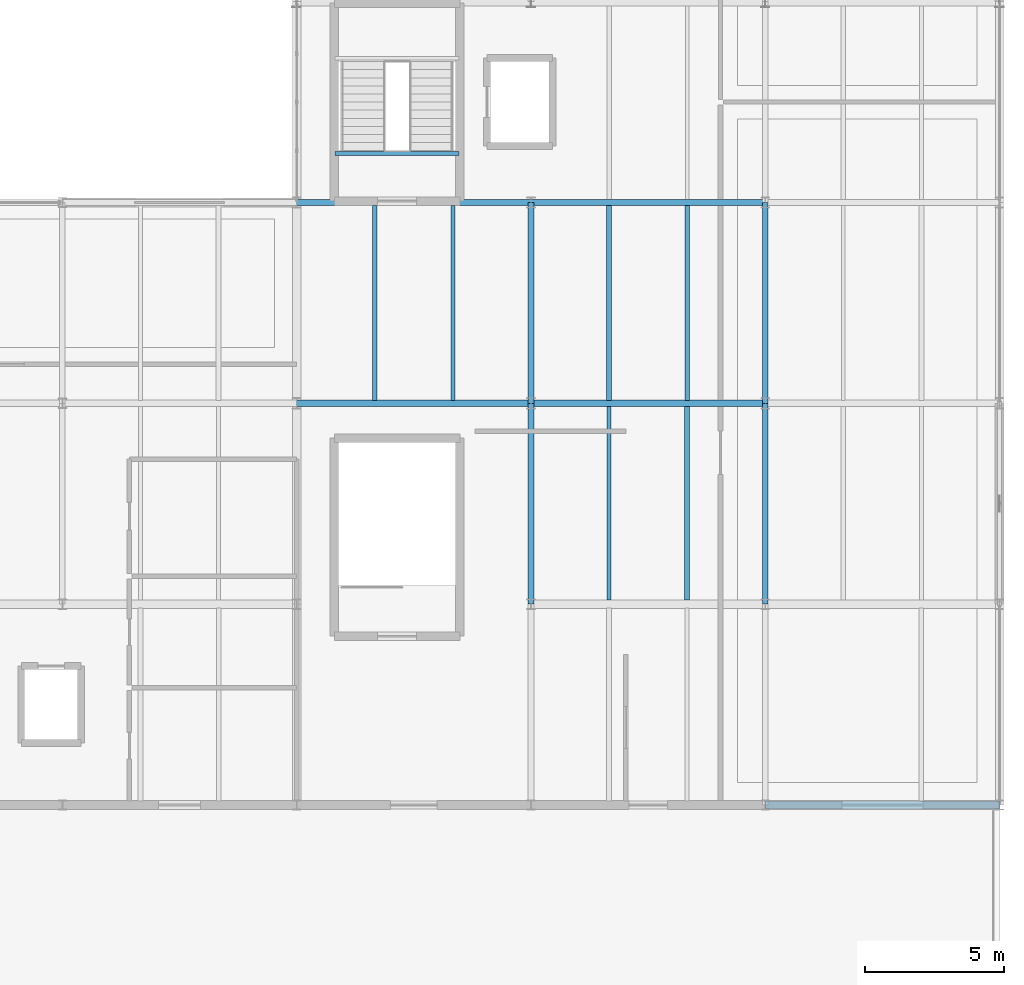
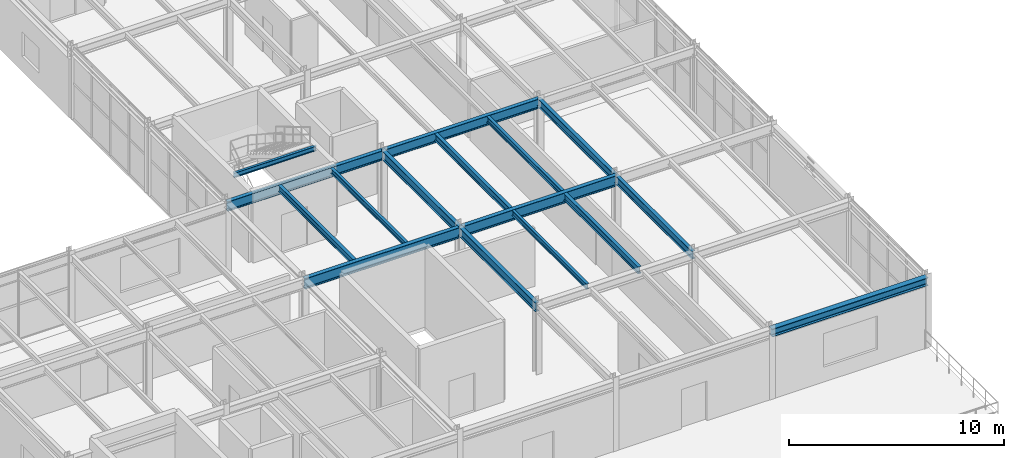
# One storey, part 73 of 134: 16 beams.
"""IFC4 building model written with IfcOpenShell, lengths in metres."""

from ifc_helpers import new_model, si_unit, derived_unit, direction, frame, origin, origin_2d, place, context, subcontext, project, spatial, i_section, extrude, material, material_profile, profile_set, type_object, element, save


model = new_model("IFC4")

# Units and contexts
model_context = context("Model", 3, precision=1e-05, world=origin(), true_north=direction((0.0, 1.0)))
body_context = subcontext(model_context, "Body", "Model", "MODEL_VIEW")
ifc_project = project(units=[si_unit("LENGTHUNIT", "METRE"), si_unit("AREAUNIT", "SQUARE_METRE"), si_unit("VOLUMEUNIT", "CUBIC_METRE"), si_unit("PLANEANGLEUNIT", "RADIAN"), si_unit("MASSUNIT", "GRAM", prefix="KILO"), derived_unit("THERMALTRANSMITTANCEUNIT", [(si_unit("MASSUNIT", "GRAM", prefix="KILO"), 1), (si_unit("TIMEUNIT", "SECOND"), -3), (si_unit("THERMODYNAMICTEMPERATUREUNIT", "KELVIN"), -1)])], contexts=[model_context])

# Site, building, storey
site_placement = place(None, origin())
site = spatial("IfcSite", under=ifc_project, at=site_placement, CompositionType="ELEMENT")
building_placement = place(site_placement, origin())
building = spatial("IfcBuilding", under=site, at=building_placement, Name="Kharveza Railside Sports Centre", CompositionType="ELEMENT")
storey_placement = place(building_placement, frame((0.0, 0.0, 12.89990234375)))
storey = spatial("IfcBuildingStorey", under=building, at=storey_placement, Name="L03", CompositionType="ELEMENT", Elevation=12.89990234375)

# Beams
ifc_material = material(Name="Steel S355J2", Category="steel")
ifc_material_profile_1 = material_profile(ifc_material, i_section(OverallWidth=0.219970703125, OverallDepth=0.60009765625, WebThickness=0.011962890625, FlangeThickness=0.01904296875, FilletRadius=0.02392578125, at=origin_2d()), Name="IPE 600")
ifc_profile_set_1 = profile_set([ifc_material_profile_1], Name="Steel S355J2")
beam_type_1 = type_object("IfcBeamType", Name="BM-G01", PredefinedType="T_BEAM", material=ifc_profile_set_1)
beam_1_placement = place(storey_placement, frame((142.800048828125, 28.800048828125, 3.66015625), z_axis=(1.0, 0.0, 0.0), x_axis=(0.0, 1.0, 0.0)))
element("IfcBeam", 1, at=beam_1_placement, inside=storey, type_object=beam_type_1, Name="BM-EW-L03-B01-X1428-Y288", PredefinedType="T_BEAM", context=body_context, shape_type="SweptSolid", body=[
    extrude(i_section(OverallWidth=0.219970703125, OverallDepth=0.60009765625, WebThickness=0.011962890625, FlangeThickness=0.01904296875, FilletRadius=0.02392578125, at=origin_2d()), origin(), (0.0, 0.0, 1.0), 8.39990234375),
])
beam_2_placement = place(storey_placement, frame((151.199951171875, 28.800048828125, 3.66015625), z_axis=(1.0, 0.0, 0.0), x_axis=(0.0, 1.0, 0.0)))
element("IfcBeam", 2, at=beam_2_placement, inside=storey, type_object=beam_type_1, Name="BM-EW-L03-B01-X1512-Y288", PredefinedType="T_BEAM", context=body_context, shape_type="SweptSolid", body=[
    extrude(i_section(OverallWidth=0.219970703125, OverallDepth=0.60009765625, WebThickness=0.011962890625, FlangeThickness=0.01904296875, FilletRadius=0.02392578125, at=origin_2d()), origin(), (0.0, 0.0, 1.0), 8.400146484375),
])
ifc_material_profile_2 = material_profile(ifc_material, i_section(OverallWidth=0.2099609375, OverallDepth=0.550048828125, WebThickness=0.010986328125, FlangeThickness=0.01708984375, FilletRadius=0.02392578125, at=origin_2d()), Name="IPE 550")
ifc_profile_set_2 = profile_set([ifc_material_profile_2], Name="Steel S355J2")
beam_type_2 = type_object("IfcBeamType", Name="BM-G02", PredefinedType="T_BEAM", material=ifc_profile_set_2)
beam_3_placement = place(storey_placement, frame((142.800048828125, 36.0, 3.68505859375), z_axis=(1.0, 0.0, 0.0), x_axis=(0.0, 1.0, 0.0)))
element("IfcBeam", 3, at=beam_3_placement, inside=storey, type_object=beam_type_2, Name="BM-EW-L03-B02-X1428-Y360", PredefinedType="T_BEAM", context=body_context, shape_type="SweptSolid", body=[
    extrude(i_section(OverallWidth=0.2099609375, OverallDepth=0.550048828125, WebThickness=0.010986328125, FlangeThickness=0.01708984375, FilletRadius=0.02392578125, at=origin_2d()), origin(), (0.0, 0.0, 1.0), 8.39990234375),
])
beam_4_placement = place(storey_placement, frame((151.199951171875, 36.0, 3.68505859375), z_axis=(1.0, 0.0, 0.0), x_axis=(0.0, 1.0, 0.0)))
element("IfcBeam", 4, at=beam_4_placement, inside=storey, type_object=beam_type_2, Name="BM-EW-L03-B02-X1512-Y360", PredefinedType="T_BEAM", context=body_context, shape_type="SweptSolid", body=[
    extrude(i_section(OverallWidth=0.2099609375, OverallDepth=0.550048828125, WebThickness=0.010986328125, FlangeThickness=0.01708984375, FilletRadius=0.02392578125, at=origin_2d()), origin(), (0.0, 0.0, 1.0), 8.400146484375),
])
ifc_material_profile_3 = material_profile(ifc_material, i_section(OverallWidth=0.199951171875, OverallDepth=0.5, WebThickness=0.01025390625, FlangeThickness=0.01611328125, FilletRadius=0.02099609375, at=origin_2d()), Name="IPE 500")
ifc_profile_set_3 = profile_set([ifc_material_profile_3], Name="Steel S355J2")
beam_type_3 = type_object("IfcBeamType", Name="BM-G03", PredefinedType="T_BEAM", material=ifc_profile_set_3)
for number, where, z_axis, x_axis, name in (
    (5, (151.199951171875, 21.60009765625, 3.710205078125), (0.0, 1.0, 0.0), (-1.0, 0.0, 0.0), "BM-NS-L03-B03-X1512-Y216"),
    (6, (151.199951171875, 28.800048828125, 3.710205078125), (0.0, 1.0, 0.0), (-1.0, 0.0, 0.0), "BM-NS-L03-B03-X1512-Y288"),
):
    element("IfcBeam", number, at=place(storey_placement, frame(where, z_axis=z_axis, x_axis=x_axis)), inside=storey, type_object=beam_type_3, Name=name, PredefinedType="T_BEAM", context=body_context, shape_type="SweptSolid", body=[
        extrude(i_section(OverallWidth=0.199951171875, OverallDepth=0.5, WebThickness=0.01025390625, FlangeThickness=0.01611328125, FilletRadius=0.02099609375, at=origin_2d()), origin(), (0.0, 0.0, 1.0), 7.199951171875),
    ])
ifc_material_profile_4 = material_profile(ifc_material, i_section(OverallWidth=0.18994140625, OverallDepth=0.449951171875, WebThickness=0.009521484375, FlangeThickness=0.0146484375, FilletRadius=0.02099609375, at=origin_2d()), Name="IPE 450")
ifc_profile_set_4 = profile_set([ifc_material_profile_4], Name="Steel S355J2")
beam_type_4 = type_object("IfcBeamType", Name="BM-G04", PredefinedType="T_BEAM", material=ifc_profile_set_4)
for number, where, z_axis, x_axis, name in (
    (7, (159.60009765625, 21.60009765625, 3.735107421875), (0.0, 1.0, 0.0), (-1.0, 0.0, 0.0), "BM-NS-L03-B04-X1596-Y216"),
    (8, (159.60009765625, 28.800048828125, 3.735107421875), (0.0, 1.0, 0.0), (-1.0, 0.0, 0.0), "BM-NS-L03-B04-X1596-Y288"),
):
    element("IfcBeam", number, at=place(storey_placement, frame(where, z_axis=z_axis, x_axis=x_axis)), inside=storey, type_object=beam_type_4, Name=name, PredefinedType="T_BEAM", context=body_context, shape_type="SweptSolid", body=[
        extrude(i_section(OverallWidth=0.18994140625, OverallDepth=0.449951171875, WebThickness=0.009521484375, FlangeThickness=0.0146484375, FilletRadius=0.02099609375, at=origin_2d()), origin(), (0.0, 0.0, 1.0), 7.199951171875),
    ])
ifc_material_profile_5 = material_profile(ifc_material, i_section(OverallWidth=0.300048828125, OverallDepth=0.449951171875, WebThickness=0.013916015625, FlangeThickness=0.02587890625, FilletRadius=0.027099609375, at=origin_2d()), Name="HEB 450")
ifc_profile_set_5 = profile_set([ifc_material_profile_5], Name="Steel S355J2")
beam_type_5 = type_object("IfcBeamType", Name="BM-G06", PredefinedType="T_BEAM", material=ifc_profile_set_5)
beam_5_placement = place(storey_placement, frame((159.60009765625, 14.39990234375, 3.735107421875), z_axis=(1.0, 0.0, 0.0), x_axis=(0.0, 1.0, 0.0)))
element("IfcBeam", 9, at=beam_5_placement, inside=storey, type_object=beam_type_5, Name="BM-EW-L03-B06-X1596-Y144", PredefinedType="T_BEAM", context=body_context, shape_type="SweptSolid", body=[
    extrude(i_section(OverallWidth=0.300048828125, OverallDepth=0.449951171875, WebThickness=0.013916015625, FlangeThickness=0.02587890625, FilletRadius=0.027099609375, at=origin_2d()), origin(), (0.0, 0.0, 1.0), 8.39990234375),
])
ifc_material_profile_6 = material_profile(ifc_material, i_section(OverallWidth=0.179931640625, OverallDepth=0.39990234375, WebThickness=0.008544921875, FlangeThickness=0.013427734375, FilletRadius=0.02099609375, at=origin_2d()), Name="IPE 400")
ifc_profile_set_6 = profile_set([ifc_material_profile_6], Name="Steel S355J2")
beam_type_6 = type_object("IfcBeamType", Name="BM-S01", PredefinedType="BEAM", material=ifc_profile_set_6)
beam_6_placement = place(storey_placement, frame((156.800048828125, 21.7470703125, 3.760009765625), z_axis=(0.0, 1.0, 0.0), x_axis=(-1.0, 0.0, 0.0)))
element("IfcBeam", 10, at=beam_6_placement, inside=storey, type_object=beam_type_6, Name="BM-SEC-L03-B09-X1568-Y216", PredefinedType="BEAM", context=body_context, shape_type="SweptSolid", body=[
    extrude(i_section(OverallWidth=0.179931640625, OverallDepth=0.39990234375, WebThickness=0.008544921875, FlangeThickness=0.013427734375, FilletRadius=0.02099609375, at=origin_2d()), origin(), (0.0, 0.0, 1.0), 6.946044921875),
])
beam_7_placement = place(storey_placement, frame((154.0, 28.906982421875, 3.760009765625), z_axis=(0.0, 1.0, 0.0), x_axis=(-1.0, 0.0, 0.0)))
element("IfcBeam", 11, at=beam_7_placement, inside=storey, type_object=beam_type_6, Name="BM-SEC-L03-B09-X1540-Y288", PredefinedType="BEAM", context=body_context, shape_type="SweptSolid", body=[
    extrude(i_section(OverallWidth=0.179931640625, OverallDepth=0.39990234375, WebThickness=0.008544921875, FlangeThickness=0.013427734375, FilletRadius=0.02099609375, at=origin_2d()), origin(), (0.0, 0.0, 1.0), 6.990966796875),
])
ifc_material_profile_7 = material_profile(ifc_material, i_section(OverallWidth=0.169921875, OverallDepth=0.360107421875, WebThickness=0.008056640625, FlangeThickness=0.0126953125, FilletRadius=0.01806640625, at=origin_2d()), Name="IPE 360")
ifc_profile_set_7 = profile_set([ifc_material_profile_7], Name="Steel S355J2")
beam_type_7 = type_object("IfcBeamType", Name="BM-S02", PredefinedType="BEAM", material=ifc_profile_set_7)
beam_8_placement = place(storey_placement, frame((145.60009765625, 28.906982421875, 3.780029296875), z_axis=(0.0, 1.0, 0.0), x_axis=(-1.0, 0.0, 0.0)))
element("IfcBeam", 12, at=beam_8_placement, inside=storey, type_object=beam_type_7, Name="BM-SEC-L03-B10-X1456-Y288", PredefinedType="BEAM", context=body_context, shape_type="SweptSolid", body=[
    extrude(i_section(OverallWidth=0.169921875, OverallDepth=0.360107421875, WebThickness=0.008056640625, FlangeThickness=0.0126953125, FilletRadius=0.01806640625, at=origin_2d()), origin(), (0.0, 0.0, 1.0), 6.990966796875),
])
ifc_material_profile_8 = material_profile(ifc_material, i_section(OverallWidth=0.159912109375, OverallDepth=0.330078125, WebThickness=0.007568359375, FlangeThickness=0.011474609375, FilletRadius=0.01806640625, at=origin_2d()), Name="IPE 330")
ifc_profile_set_8 = profile_set([ifc_material_profile_8], Name="Steel S355J2")
beam_type_8 = type_object("IfcBeamType", Name="BM-S03", PredefinedType="BEAM", material=ifc_profile_set_8)
beam_9_placement = place(storey_placement, frame((156.800048828125, 28.906982421875, 3.795166015625), z_axis=(0.0, 1.0, 0.0), x_axis=(-1.0, 0.0, 0.0)))
element("IfcBeam", 13, at=beam_9_placement, inside=storey, type_object=beam_type_8, Name="BM-SEC-L03-B11-X1568-Y288", PredefinedType="BEAM", context=body_context, shape_type="SweptSolid", body=[
    extrude(i_section(OverallWidth=0.159912109375, OverallDepth=0.330078125, WebThickness=0.007568359375, FlangeThickness=0.011474609375, FilletRadius=0.01806640625, at=origin_2d()), origin(), (0.0, 0.0, 1.0), 6.990966796875),
])
ifc_material_profile_9 = material_profile(ifc_material, i_section(OverallWidth=0.14990234375, OverallDepth=0.300048828125, WebThickness=0.007080078125, FlangeThickness=0.0107421875, FilletRadius=0.014892578125, at=origin_2d()), Name="IPE 300")
ifc_profile_set_9 = profile_set([ifc_material_profile_9], Name="Steel S355J2")
beam_type_9 = type_object("IfcBeamType", Name="BM-S04", PredefinedType="BEAM", material=ifc_profile_set_9)
beam_10_placement = place(storey_placement, frame((148.39990234375, 28.906982421875, 3.81005859375), z_axis=(0.0, 1.0, 0.0), x_axis=(-1.0, 0.0, 0.0)))
element("IfcBeam", 14, at=beam_10_placement, inside=storey, type_object=beam_type_9, Name="BM-SEC-L03-B12-X1484-Y288", PredefinedType="BEAM", context=body_context, shape_type="SweptSolid", body=[
    extrude(i_section(OverallWidth=0.14990234375, OverallDepth=0.300048828125, WebThickness=0.007080078125, FlangeThickness=0.0107421875, FilletRadius=0.014892578125, at=origin_2d()), origin(), (0.0, 0.0, 1.0), 6.990966796875),
])
beam_11_placement = place(storey_placement, frame((154.0, 21.7470703125, 3.81005859375), z_axis=(0.0, 1.0, 0.0), x_axis=(-1.0, 0.0, 0.0)))
element("IfcBeam", 15, at=beam_11_placement, inside=storey, type_object=beam_type_9, Name="BM-SEC-L03-B12-X1540-Y216", PredefinedType="BEAM", context=body_context, shape_type="SweptSolid", body=[
    extrude(i_section(OverallWidth=0.14990234375, OverallDepth=0.300048828125, WebThickness=0.007080078125, FlangeThickness=0.0107421875, FilletRadius=0.014892578125, at=origin_2d()), origin(), (0.0, 0.0, 1.0), 6.946044921875),
])
ifc_material_profile_10 = material_profile(ifc_material, i_section(OverallWidth=0.135009765625, OverallDepth=0.27001953125, WebThickness=0.006591796875, FlangeThickness=0.01025390625, FilletRadius=0.014892578125, at=origin_2d()), Name="IPE 270")
ifc_profile_set_10 = profile_set([ifc_material_profile_10], Name="Steel S355J2")
beam_type_10 = type_object("IfcBeamType", Name="BM-S05", PredefinedType="BEAM", material=ifc_profile_set_10)
beam_12_placement = place(storey_placement, frame((144.179931640625, 37.760009765625, 3.880126953125), z_axis=(1.0, 0.0, 0.0), x_axis=(0.0, 1.0, 0.0)))
element("IfcBeam", 16, at=beam_12_placement, inside=storey, type_object=beam_type_10, Name="BM-STLND-ST1-L04", PredefinedType="BEAM", context=body_context, shape_type="SweptSolid", body=[
    extrude(i_section(OverallWidth=0.135009765625, OverallDepth=0.27001953125, WebThickness=0.006591796875, FlangeThickness=0.01025390625, FilletRadius=0.014892578125, at=origin_2d()), origin(), (0.0, 0.0, 1.0), 4.440185546875),
])

save(model, "model.ifc")
